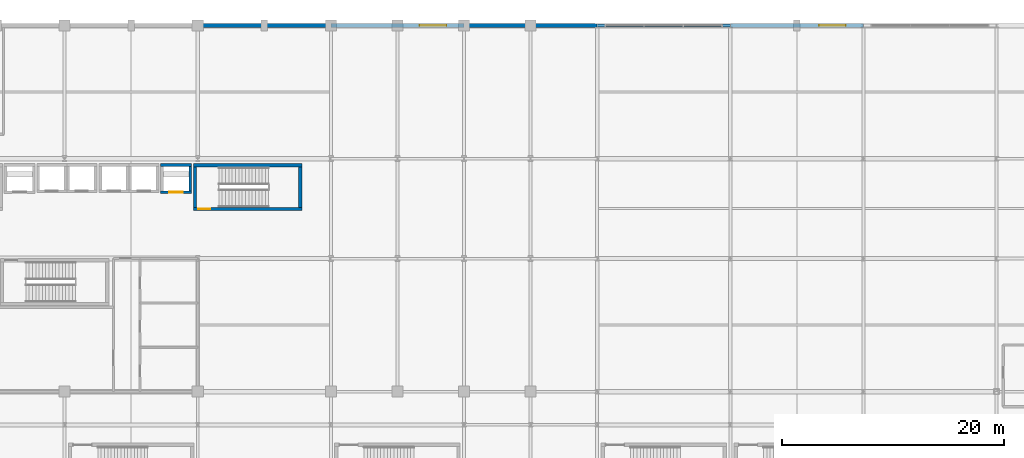
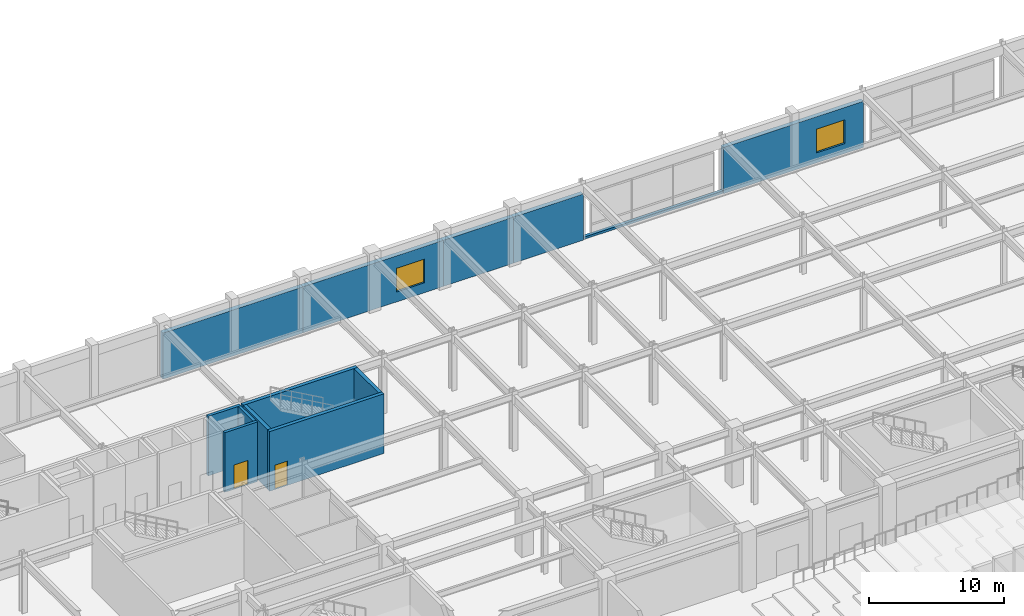
# One storey, part 86 of 100: 13 walls, 2 doors, 2 windows, 4 openings.
"""IFC4 building model written with IfcOpenShell, lengths in metres."""

import ifcopenshell
import ifcopenshell.guid

model = None  # the IFC model being written
_history = None  # IfcOwnerHistory: only IFC2X3 demands one
_inside = {}  # id of a spatial element -> (the spatial element, [elements in it])
_under = {}  # id of a project, library or spatial element -> (it, [spatial elements below it])
_declared = {}  # id of a project -> (the project, [libraries it declares])
_typed = {}  # id of a type object -> (the type object, [elements of that type])
_made_of = {}  # id of a material, layer set ... -> (it, [elements and type objects made of it])


def new_model(schema):
    """Start an empty IFC model of exactly this schema.

    Asked for "IFC4X3", IfcOpenShell would pick the latest addendum, in which some entities
    have other attributes; the version numbers below select the first issue.
    IFC2X3 requires an IfcOwnerHistory on every rooted entity: one is made here for all.
    """
    global model, _history
    if schema == "IFC4X3":
        model = ifcopenshell.file(schema_version=(4, 3, 0, 0))
    else:
        model = ifcopenshell.file(schema=schema)
    _inside.clear()
    _under.clear()
    _declared.clear()
    _typed.clear()
    _made_of.clear()
    _history = None
    if model.schema == "IFC2X3":
        org = make("IfcOrganization", Name="unknown")
        user = make(
            "IfcPersonAndOrganization",
            ThePerson=make("IfcPerson", FamilyName="unknown"),
            TheOrganization=org,
        )
        app = make(
            "IfcApplication",
            ApplicationDeveloper=org,
            Version="unknown",
            ApplicationFullName="unknown",
            ApplicationIdentifier="unknown",
        )
        _history = make(
            "IfcOwnerHistory",
            OwningUser=user,
            OwningApplication=app,
            ChangeAction="ADDED",
            CreationDate=0,
        )
    return model


def make(cls, **values):
    """One entity of the class cls with the attributes given. An attribute that is None is left unset."""
    return model.create_entity(
        cls, **{name: value for name, value in values.items() if value is not None}
    )


def rooted(cls, **values):
    """An entity with a GlobalId (a new one), such as an element, a storey or a relation."""
    return make(cls, GlobalId=ifcopenshell.guid.new(), OwnerHistory=_history, **values)


def si_unit(unit_type, name, prefix=None):
    """IfcSIUnit, for example si_unit("LENGTHUNIT", "METRE", prefix="MILLI")."""
    return make("IfcSIUnit", UnitType=unit_type, Prefix=prefix, Name=name)


def assignment(units):
    """IfcUnitAssignment: the units of a project."""
    return None if units is None else make("IfcUnitAssignment", Units=units)


def point(xyz):
    """IfcCartesianPoint."""
    return None if xyz is None else make("IfcCartesianPoint", Coordinates=xyz)


def direction(xyz):
    """IfcDirection."""
    return None if xyz is None else make("IfcDirection", DirectionRatios=xyz)


def frame(location, z_axis=None, x_axis=None):
    """IfcAxis2Placement3D, a coordinate frame: its origin and axes. An axis left out is left unset."""
    return make(
        "IfcAxis2Placement3D",
        Location=point(location),
        Axis=direction(z_axis),
        RefDirection=direction(x_axis),
    )


def frame_2d(location, x_axis=None):
    """IfcAxis2Placement2D, a coordinate frame in the plane: its origin and x axis."""
    return make(
        "IfcAxis2Placement2D", Location=point(location), RefDirection=direction(x_axis)
    )


def origin():
    """The frame at (0, 0, 0) with its axes left unset."""
    return frame((0.0, 0.0, 0.0))


def place(relative_to, where):
    """IfcLocalPlacement: puts the frame where relative to a parent placement (None: the world)."""
    return make(
        "IfcLocalPlacement", PlacementRelTo=relative_to, RelativePlacement=where
    )


def context(
    kind, dimensions, precision=None, world=None, true_north=None, identifier=None
):
    """IfcGeometricRepresentationContext, for example the 3D "Model" context."""
    return make(
        "IfcGeometricRepresentationContext",
        ContextIdentifier=identifier,
        ContextType=kind,
        CoordinateSpaceDimension=dimensions,
        Precision=precision,
        WorldCoordinateSystem=world,
        TrueNorth=true_north,
    )


def subcontext(parent, identifier, kind, view, scale=None):
    """IfcGeometricRepresentationSubContext, for example "Body" below "Model"."""
    return make(
        "IfcGeometricRepresentationSubContext",
        ContextIdentifier=identifier,
        ContextType=kind,
        ParentContext=parent,
        TargetScale=scale,
        TargetView=view,
    )


def project(units=None, contexts=None):
    """IfcProject with its units and contexts."""
    return rooted(
        "IfcProject",
        Name="project",
        RepresentationContexts=contexts,
        UnitsInContext=assignment(units),
    )


def spatial(cls, under=None, at=None, **own):
    """A site, building, storey or space (cls), placed at a placement, below another one or the project."""
    s = rooted(cls, ObjectPlacement=at, **own)
    if under is not None:
        _under.setdefault(under.id(), (under, []))[1].append(s)
    return s


def profile(cls, at=None, kind="AREA", **sizes):
    """A parametric profile (cls). Its sizes go by their IFC names, for example OverallWidth=200.0."""
    return make(cls, ProfileType=kind, Position=at, **sizes)


def rectangle(**sizes):
    """IfcRectangleProfileDef."""
    return profile("IfcRectangleProfileDef", **sizes)


def extrude(swept, where, along, depth):
    """IfcExtrudedAreaSolid: the profile swept, set in the frame where, extruded along a direction by depth."""
    return make(
        "IfcExtrudedAreaSolid",
        SweptArea=swept,
        Position=where,
        ExtrudedDirection=direction(along),
        Depth=depth,
    )


def shape(context_of_items, identifier, shape_type, items):
    """IfcShapeRepresentation: the items that make up one representation, for example the "Body"."""
    return make(
        "IfcShapeRepresentation",
        ContextOfItems=context_of_items,
        RepresentationIdentifier=identifier,
        RepresentationType=shape_type,
        Items=items,
    )


def material(Name=None, Category=None):
    """IfcMaterial."""
    return make("IfcMaterial", Name=Name, Category=Category)


def layer(
    of_material, thickness, ventilated=None, Name=None, Category=None, Priority=None
):
    """IfcMaterialLayer: one layer of a wall or slab, of a material (None: an air gap)."""
    return make(
        "IfcMaterialLayer",
        Material=of_material,
        LayerThickness=thickness,
        IsVentilated=ventilated,
        Name=Name,
        Category=Category,
        Priority=Priority,
    )


def layer_set(layers, Name=None):
    """IfcMaterialLayerSet."""
    return make("IfcMaterialLayerSet", MaterialLayers=layers, LayerSetName=Name)


def made_of(thing, what):
    """Note that an element or type object is made of a material, layer set ...; save() writes the relation."""
    if what is not None:
        _made_of.setdefault(what.id(), (what, []))[1].append(thing)
    return thing


def type_object(cls, material=None, **own):
    """A type object (cls), such as IfcWallType, which elements share."""
    return made_of(rooted(cls, **own), material)


def element(
    cls,
    number,
    at=None,
    inside=None,
    cuts=None,
    type_object=None,
    material=None,
    context=None,
    identifier="Body",
    shape_type=None,
    held_by="IfcProductDefinitionShape",
    body=None,
    shapes=None,
    **own,
):
    """One element of the class cls, such as IfcWall. Its Tag is "e" and its number.

    at: its placement. inside: the storey or other place that contains it. cuts: it is an
    opening in that element (IfcRelVoidsElement). A single representation is given by context,
    identifier, shape_type and body (its items); several are given by shapes. held_by: the class
    of the entity that holds the representations. save() writes the other relations.
    """
    e = rooted(cls, Tag="e%d" % number, ObjectPlacement=at, **own)
    if body is not None:
        shapes = [shape(context, identifier, shape_type, body)]
    if shapes is not None:
        e.Representation = make(held_by, Representations=shapes)
    if inside is not None:
        _inside.setdefault(inside.id(), (inside, []))[1].append(e)
    if cuts is not None:
        rooted(
            "IfcRelVoidsElement", RelatingBuildingElement=cuts, RelatedOpeningElement=e
        )
    if type_object is not None:
        _typed.setdefault(type_object.id(), (type_object, []))[1].append(e)
    return made_of(e, material)


def fill(opening, filler):
    """IfcRelFillsElement: the door or window that sits in an opening."""
    return rooted(
        "IfcRelFillsElement",
        RelatingOpeningElement=opening,
        RelatedBuildingElement=filler,
    )


def aggregate(whole, parts):
    """IfcRelAggregates: a whole, such as a stair, and the parts it consists of."""
    return rooted("IfcRelAggregates", RelatingObject=whole, RelatedObjects=parts)


def save(model, path):
    """Write the relations noted so far, then the file.

    IfcRelAggregates (storeys below a building ...), IfcRelContainedInSpatialStructure (elements
    in a storey), IfcRelDefinesByType, IfcRelAssociatesMaterial and IfcRelDeclares: one each for
    every whole, place, type object, material and project.
    """
    for whole, parts in _under.values():
        aggregate(whole, parts)
    for where, things in _inside.values():
        rooted(
            "IfcRelContainedInSpatialStructure",
            RelatedElements=things,
            RelatingStructure=where,
        )
    for kind, things in _typed.values():
        rooted("IfcRelDefinesByType", RelatedObjects=things, RelatingType=kind)
    for what, things in _made_of.values():
        rooted("IfcRelAssociatesMaterial", RelatedObjects=things, RelatingMaterial=what)
    for by, libraries in _declared.values():
        rooted("IfcRelDeclares", RelatingContext=by, RelatedDefinitions=libraries)
    model.write(path)


model = new_model("IFC4")

# Units and contexts
model_context = context("Model", 3, precision=1e-05, world=origin(), true_north=direction((0.0, 1.0)))
body_context = subcontext(model_context, "Body", "Model", "MODEL_VIEW")
ifc_project = project(units=[si_unit("LENGTHUNIT", "METRE"), si_unit("AREAUNIT", "SQUARE_METRE"), si_unit("VOLUMEUNIT", "CUBIC_METRE"), si_unit("PLANEANGLEUNIT", "RADIAN"), si_unit("MASSUNIT", "GRAM", prefix="KILO")], contexts=[model_context])

# Site, building, storey
site_placement = place(None, origin())
site = spatial("IfcSite", under=ifc_project, at=site_placement, CompositionType="ELEMENT")
building_placement = place(site_placement, origin())
building = spatial("IfcBuilding", under=site, at=building_placement, Name="Kaldorvane Square Convention Centre", CompositionType="ELEMENT")
storey_placement = place(building_placement, frame((0.0, 0.0, 18.0)))
storey = spatial("IfcBuildingStorey", under=building, at=storey_placement, Name="L03", CompositionType="ELEMENT", Elevation=18.0)

# Wall
ifc_material_1 = material(Name="Concrete f'c = 42 MPa (Normalweight)", Category="concrete")
ifc_layer_1 = layer(ifc_material_1, 0.3800048828125)
ifc_layer_set_1 = layer_set([ifc_layer_1], Name="Concrete f'c = 42 MPa (Normalweight)")
wall_type_1 = type_object("IfcWallType", Name="WL-EXT-380", PredefinedType="STANDARD", material=ifc_layer_set_1)
wall_1_placement = place(storey_placement, frame((78.0, 117.0, 0.0), z_axis=(0.0, 0.0, 1.0), x_axis=(-1.0, 0.0, 0.0)))
element("IfcWall", 1, at=wall_1_placement, inside=storey, type_object=wall_type_1, Name="North Square Brutalist Facade Wall (L03)", PredefinedType="STANDARD", context=body_context, shape_type="SweptSolid", body=[
    extrude(rectangle(XDim=12.0, YDim=0.3800048828125, at=frame_2d((6.0, 0.0))), origin(), (0.0, 0.0, 1.0), 4.175994873046875),
])

# Wall, opening, window
wall_2_placement = place(storey_placement, frame((90.0, 117.0, 0.0), z_axis=(0.0, 0.0, 1.0), x_axis=(-1.0, 0.0, 0.0)))
wall_2 = element("IfcWall", 2, at=wall_2_placement, inside=storey, type_object=wall_type_1, Name="North Square Brutalist Facade Wall (L03)", PredefinedType="STANDARD", context=body_context, shape_type="SweptSolid", body=[
    extrude(rectangle(XDim=12.0, YDim=0.3800048828125, at=frame_2d((6.0, 0.0))), origin(), (0.0, 0.0, 1.0), 4.175994873046875),
])
opening_1_placement = place(wall_2_placement, frame((1.600006103515625, 0.0, 0.899993896484375)))
opening_1 = element("IfcOpeningElement", 3, at=opening_1_placement, cuts=wall_2, Name="Opening W-19", PredefinedType="OPENING", context=body_context, shape_type="SweptSolid", body=[
    extrude(rectangle(XDim=2.399993896484375, YDim=2.149993896484375, at=frame_2d((1.1999969482421875, 1.0749969482421875))), frame((0.0, 0.2050018310546875, 0.0), z_axis=(0.0, -1.0, 0.0), x_axis=(1.0, 0.0, 0.0)), (0.0, 0.0, 1.0), 0.410003662109375),
])
ifc_material_2 = material(Name="Anodized Aluminum and Low-E Insulated Glazing", Category="aluminium")
window_type = type_object("IfcWindowType", Name="WN-POD-2400X2150", PartitioningType="DOUBLE_PANEL_VERTICAL", PredefinedType="WINDOW", material=ifc_material_2)
window_1_placement = place(opening_1_placement, origin())
window_1 = element("IfcWindow", 4, at=window_1_placement, inside=storey, type_object=window_type, Name="North Facade Window (L03)", OverallHeight=2.149993896484375, OverallWidth=2.399993896484375, PartitioningType="DOUBLE_PANEL_VERTICAL", PredefinedType="WINDOW", context=body_context, shape_type="SweptSolid", body=[
    extrude(rectangle(XDim=2.399993896484375, YDim=2.149993896484375, at=frame_2d((1.1999969482421875, 1.0749969482421875))), frame((0.0, 0.029998779296875, 0.0), z_axis=(0.0, -1.0, 0.0), x_axis=(1.0, 0.0, 0.0)), (0.0, 0.0, 1.0), 0.05999755859375),
])
fill(opening_1, window_1)

# Walls
for number, where, z_axis, x_axis, name in (
    (5, (96.0, 117.0, 0.0), (0.0, 0.0, 1.0), (-1.0, 0.0, 0.0), "North Square Brutalist Facade Wall (L03)"),
    (6, (102.0, 117.0, 0.0), (0.0, 0.0, 1.0), (-1.0, 0.0, 0.0), "North Square Brutalist Facade Wall (L03)"),
):
    element("IfcWall", number, at=place(storey_placement, frame(where, z_axis=z_axis, x_axis=x_axis)), inside=storey, type_object=wall_type_1, Name=name, PredefinedType="STANDARD", context=body_context, shape_type="SweptSolid", body=[
        extrude(rectangle(XDim=6.0, YDim=0.3800048828125, at=frame_2d((3.0, 0.0))), origin(), (0.0, 0.0, 1.0), 4.175994873046875),
    ])

# Wall, opening, window
wall_3_placement = place(storey_placement, frame((126.0, 117.0, 0.0), z_axis=(0.0, 0.0, 1.0), x_axis=(-1.0, 0.0, 0.0)))
wall_3 = element("IfcWall", 7, at=wall_3_placement, inside=storey, type_object=wall_type_1, Name="North Square Brutalist Facade Wall (L03)", PredefinedType="STANDARD", context=body_context, shape_type="SweptSolid", body=[
    extrude(rectangle(XDim=12.0, YDim=0.3800048828125, at=frame_2d((6.0, 0.0))), origin(), (0.0, 0.0, 1.0), 4.175994873046875),
])
opening_2_placement = place(wall_3_placement, frame((1.600006103515625, 0.0, 0.899993896484375)))
opening_2 = element("IfcOpeningElement", 8, at=opening_2_placement, cuts=wall_3, Name="Opening W-19", PredefinedType="OPENING", context=body_context, shape_type="SweptSolid", body=[
    extrude(rectangle(XDim=2.399993896484375, YDim=2.149993896484375, at=frame_2d((1.1999969482421875, 1.0749969482421875))), frame((0.0, 0.2050018310546875, 0.0), z_axis=(0.0, -1.0, 0.0), x_axis=(1.0, 0.0, 0.0)), (0.0, 0.0, 1.0), 0.410003662109375),
])
window_2_placement = place(opening_2_placement, origin())
window_2 = element("IfcWindow", 9, at=window_2_placement, inside=storey, type_object=window_type, Name="North Facade Window (L03)", OverallHeight=2.149993896484375, OverallWidth=2.399993896484375, PartitioningType="DOUBLE_PANEL_VERTICAL", PredefinedType="WINDOW", context=body_context, shape_type="SweptSolid", body=[
    extrude(rectangle(XDim=2.399993896484375, YDim=2.149993896484375, at=frame_2d((1.1999969482421875, 1.0749969482421875))), frame((0.0, 0.029998779296875, 0.0), z_axis=(0.0, -1.0, 0.0), x_axis=(1.0, 0.0, 0.0)), (0.0, 0.0, 1.0), 0.05999755859375),
])
fill(opening_2, window_2)

# Wall
ifc_material_3 = material(Name="Concrete f'c = 35 MPa (Normalweight)", Category="concrete")
ifc_layer_2 = layer(ifc_material_3, 0.279998779296875)
ifc_layer_set_2 = layer_set([ifc_layer_2], Name="Concrete f'c = 35 MPa (Normalweight)")
wall_type_2 = type_object("IfcWallType", Name="WL-PAR-280", PredefinedType="PARAPET", material=ifc_layer_set_2)
wall_4_placement = place(storey_placement, frame((114.0, 117.0, 0.0), z_axis=(0.0, 0.0, 1.0), x_axis=(-1.0, 0.0, 0.0)))
element("IfcWall", 10, at=wall_4_placement, inside=storey, type_object=wall_type_2, Name="North Curtain-Wall Sill Kerb (L03)", PredefinedType="PARAPET", context=body_context, shape_type="SweptSolid", body=[
    extrude(rectangle(XDim=12.0, YDim=0.279998779296875, at=frame_2d((6.0, 0.0))), origin(), (0.0, 0.0, 1.0), 0.1999969482421875),
])

# Wall, opening, door
ifc_material_4 = material(Name="Concrete f'c = 55 MPa (Normalweight)", Category="concrete")
ifc_layer_3 = layer(ifc_material_4, 0.3000030517578125)
ifc_layer_set_3 = layer_set([ifc_layer_3], Name="Concrete f'c = 55 MPa (Normalweight)")
wall_type_3 = type_object("IfcWallType", Name="WL-SHAFT-300", PredefinedType="SHEAR", material=ifc_layer_set_3)
wall_5_placement = place(storey_placement, frame((65.60000610351562, 100.46000671386719, 0.0), z_axis=(0.0, 0.0, 1.0), x_axis=(1.0, 0.0, 0.0)))
wall_5 = element("IfcWall", 11, at=wall_5_placement, inside=storey, type_object=wall_type_3, Name="Core Enclosure Wall stair:ST-T2-S (L03)", PredefinedType="SHEAR", context=body_context, shape_type="SweptSolid", body=[
    extrude(rectangle(XDim=9.79998779296875, YDim=0.3000030517578125, at=frame_2d((4.899993896484375, 0.0))), origin(), (0.0, 0.0, 1.0), 5.399993896484375),
])
opening_3_placement = place(wall_5_placement, frame((0.4499969482421875, 0.0, 0.0)))
opening_3 = element("IfcOpeningElement", 12, at=opening_3_placement, cuts=wall_5, Name="Opening FD90-S1", PredefinedType="OPENING", context=body_context, shape_type="SweptSolid", body=[
    extrude(rectangle(XDim=1.100006103515625, YDim=2.1999969482421875, at=frame_2d((0.5500030517578125, 1.100006103515625))), frame((0.0, 0.165008544921875, 0.0), z_axis=(0.0, -1.0, 0.0), x_axis=(1.0, 0.0, 0.0)), (0.0, 0.0, 1.0), 0.3300018310546875),
])
ifc_material_5 = material(Name="Fire-Rated Hollow Metal Steel", Category="steel")
door_type_1 = type_object("IfcDoorType", Name="DR-STAIR-1100", OperationType="SINGLE_SWING_RIGHT", PredefinedType="DOOR", material=ifc_material_5)
door_1_placement = place(opening_3_placement, origin())
door_1 = element("IfcDoor", 13, at=door_1_placement, inside=storey, type_object=door_type_1, Name="Tower Exit Stair T2 Fire Door (L03)", OperationType="SINGLE_SWING_RIGHT", OverallHeight=2.1999969482421875, OverallWidth=1.100006103515625, PredefinedType="DOOR", context=body_context, shape_type="SweptSolid", body=[
    extrude(rectangle(XDim=1.100006103515625, YDim=2.1999969482421875, at=frame_2d((0.5500030517578125, 1.100006103515625))), frame((0.0, 0.024993896484375, 0.0), z_axis=(0.0, -1.0, 0.0), x_axis=(1.0, 0.0, 0.0)), (0.0, 0.0, 1.0), 0.0500030517578125),
])
fill(opening_3, door_1)

# Walls
wall_6_placement = place(storey_placement, frame((75.39999389648438, 104.39999389648438, 0.0), z_axis=(0.0, 0.0, 1.0), x_axis=(-1.0, 0.0, 0.0)))
element("IfcWall", 14, at=wall_6_placement, inside=storey, type_object=wall_type_3, Name="Core Enclosure Wall stair:ST-T2-N (L03)", PredefinedType="SHEAR", context=body_context, shape_type="SweptSolid", body=[
    extrude(rectangle(XDim=9.79998779296875, YDim=0.3000030517578125, at=frame_2d((4.899993896484375, 0.0))), origin(), (0.0, 0.0, 1.0), 5.399993896484375),
])
for number, where, z_axis, x_axis, name in (
    (15, (65.75, 104.25, 0.0), (0.0, 0.0, 1.0), (0.0, -1.0, 0.0), "Core Enclosure Wall stair:ST-T2-W (L03)"),
    (16, (75.25, 100.61000061035156, 0.0), (0.0, 0.0, 1.0), (0.0, 1.0, 0.0), "Core Enclosure Wall stair:ST-T2-E (L03)"),
):
    element("IfcWall", number, at=place(storey_placement, frame(where, z_axis=z_axis, x_axis=x_axis)), inside=storey, type_object=wall_type_3, Name=name, PredefinedType="SHEAR", context=body_context, shape_type="SweptSolid", body=[
        extrude(rectangle(XDim=3.6399993896484375, YDim=0.3000030517578125, at=frame_2d((1.82000732421875, 0.0))), origin(), (0.0, 0.0, 1.0), 5.399993896484375),
    ])

# Wall, opening, door
wall_7_placement = place(storey_placement, frame((62.649993896484375, 101.97500610351562, 0.0), z_axis=(0.0, 0.0, 1.0), x_axis=(1.0, 0.0, 0.0)))
wall_7 = element("IfcWall", 17, at=wall_7_placement, inside=storey, type_object=wall_type_3, Name="Core Enclosure Wall lift:FSAE-02-S (L03)", PredefinedType="SHEAR", context=body_context, shape_type="SweptSolid", body=[
    extrude(rectangle(XDim=2.8000030517578125, YDim=0.25, at=frame_2d((1.399993896484375, 0.0))), origin(), (0.0, 0.0, 1.0), 5.399993896484375),
])
opening_4_placement = place(wall_7_placement, frame((0.8000030517578125, 0.0, 0.0)))
opening_4 = element("IfcOpeningElement", 18, at=opening_4_placement, cuts=wall_7, Name="Opening LD-02", PredefinedType="OPENING", context=body_context, shape_type="SweptSolid", body=[
    extrude(rectangle(XDim=1.1999969482421875, YDim=2.1999969482421875, at=frame_2d((0.600006103515625, 1.100006103515625))), frame((0.0, 0.1399993896484375, 0.0), z_axis=(0.0, -1.0, 0.0), x_axis=(1.0, 0.0, 0.0)), (0.0, 0.0, 1.0), 0.279998779296875),
])
ifc_material_6 = material(Name="Stainless Steel Elevator Door Assembly", Category="steel")
door_type_2 = type_object("IfcDoorType", Name="DR-LIFT-1200", OperationType="DOUBLE_DOOR_SLIDING", PredefinedType="DOOR", material=ifc_material_6)
door_2_placement = place(opening_4_placement, origin())
door_2 = element("IfcDoor", 19, at=door_2_placement, inside=storey, type_object=door_type_2, Name="Elevator Landing Door FSAE-02 (L03)", OperationType="DOUBLE_DOOR_SLIDING", OverallHeight=2.1999969482421875, OverallWidth=1.1999969482421875, PredefinedType="DOOR", context=body_context, shape_type="SweptSolid", body=[
    extrude(rectangle(XDim=1.1999969482421875, YDim=2.1999969482421875, at=frame_2d((0.600006103515625, 1.100006103515625))), frame((0.0, 0.024993896484375, 0.0), z_axis=(0.0, -1.0, 0.0), x_axis=(1.0, 0.0, 0.0)), (0.0, 0.0, 1.0), 0.0500030517578125),
])
fill(opening_4, door_2)

# Walls
wall_8_placement = place(storey_placement, frame((65.44999694824219, 104.42500305175781, 0.0), z_axis=(0.0, 0.0, 1.0), x_axis=(-1.0, 0.0, 0.0)))
element("IfcWall", 20, at=wall_8_placement, inside=storey, type_object=wall_type_3, Name="Core Enclosure Wall lift:FSAE-02-N (L03)", PredefinedType="SHEAR", context=body_context, shape_type="SweptSolid", body=[
    extrude(rectangle(XDim=2.8000030517578125, YDim=0.25, at=frame_2d((1.399993896484375, 0.0))), origin(), (0.0, 0.0, 1.0), 5.399993896484375),
])
wall_9_placement = place(storey_placement, frame((65.32499694824219, 102.10000610351562, 0.0), z_axis=(0.0, 0.0, 1.0), x_axis=(0.0, 1.0, 0.0)))
element("IfcWall", 21, at=wall_9_placement, inside=storey, type_object=wall_type_3, Name="Core Enclosure Wall lift:FSAE-02-E (L03)", PredefinedType="SHEAR", context=body_context, shape_type="SweptSolid", body=[
    extrude(rectangle(XDim=2.1999969482421875, YDim=0.25, at=frame_2d((1.100006103515625, 0.0))), origin(), (0.0, 0.0, 1.0), 5.399993896484375),
])

save(model, "model.ifc")
